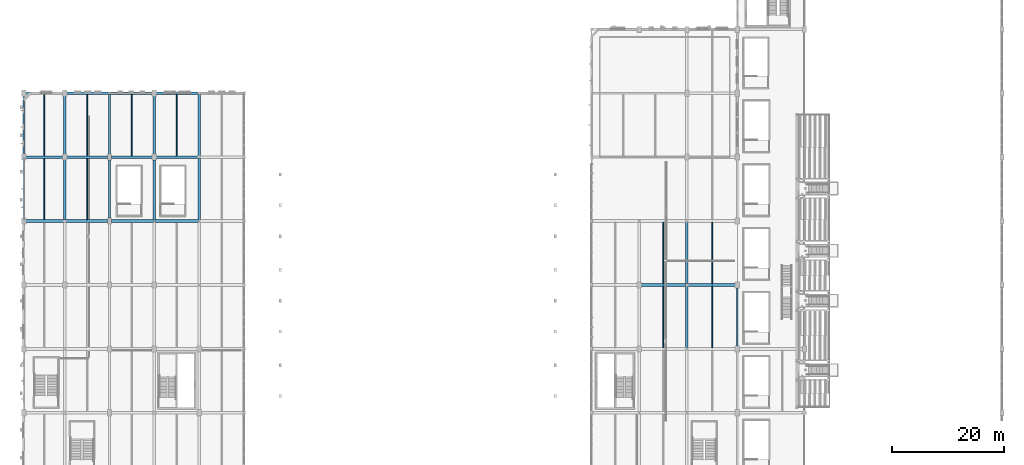
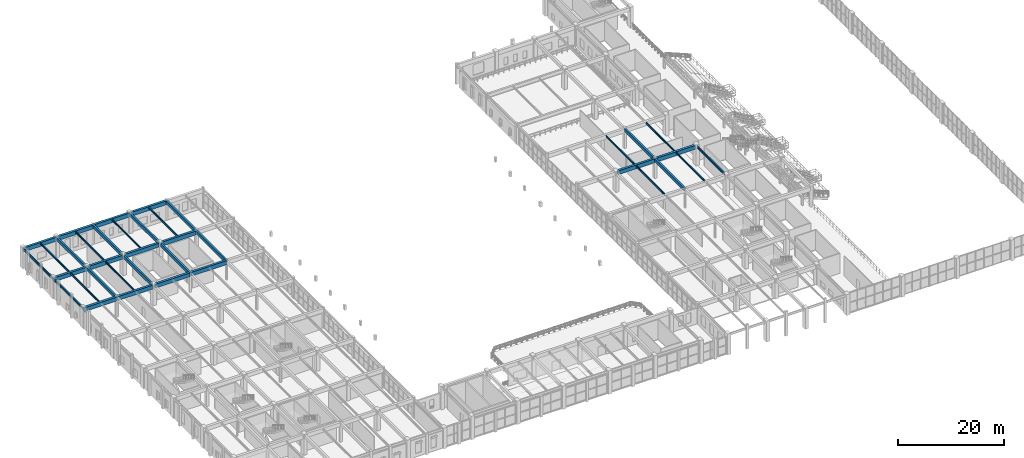
# One storey, part 44 of 106: 37 beams.
"""IFC4 building model written with IfcOpenShell, lengths in metres."""

from ifc_helpers import new_model, si_unit, direction, frame, origin, origin_2d, place, context, subcontext, project, spatial, rectangle, i_section, extrude, material, material_profile, profile_set, type_object, element, save


model = new_model("IFC4")

# Units and contexts
model_context = context("Model", 3, precision=1e-05, world=origin(), true_north=direction((0.0, 1.0)))
body_context = subcontext(model_context, "Body", "Model", "MODEL_VIEW")
ifc_project = project(units=[si_unit("LENGTHUNIT", "METRE"), si_unit("AREAUNIT", "SQUARE_METRE"), si_unit("VOLUMEUNIT", "CUBIC_METRE"), si_unit("PLANEANGLEUNIT", "RADIAN"), si_unit("MASSUNIT", "GRAM", prefix="KILO"), si_unit("POWERUNIT", "WATT"), si_unit("THERMODYNAMICTEMPERATUREUNIT", "KELVIN")], contexts=[model_context])

# Site, building, storey
site_placement = place(None, origin())
site = spatial("IfcSite", under=ifc_project, at=site_placement, CompositionType="ELEMENT")
building_placement = place(site_placement, origin())
building = spatial("IfcBuilding", under=site, at=building_placement, Name="Kelmbourne Parkland Aquatics Centre", CompositionType="ELEMENT")
storey_placement = place(building_placement, frame((0.0, 0.0, 5.39990234375)))
storey = spatial("IfcBuildingStorey", under=building, at=storey_placement, Name="L01", CompositionType="ELEMENT", Elevation=5.39990234375)

# Beams
ifc_material_1 = material(Name="Concrete C40/50", Category="concrete")
ifc_material_profile_1 = material_profile(ifc_material_1, rectangle(XDim=0.5, YDim=0.89990234375, at=origin_2d()), Name="RC 500x900")
ifc_profile_set_1 = profile_set([ifc_material_profile_1], Name="Concrete C40/50")
beam_type_1 = type_object("IfcBeamType", Name="BM-G03", PredefinedType="BEAM", material=ifc_profile_set_1)
beam_1_placement = place(storey_placement, frame((110.830078125, 57.800048828125, 4.110107421875), z_axis=(1.0, 0.0, 0.0), x_axis=(0.0, 1.0, 0.0)))
element("IfcBeam", 1, at=beam_1_placement, inside=storey, type_object=beam_type_1, Name="Primary girder N-O Grid 08 (L02)", PredefinedType="BEAM", context=body_context, shape_type="SweptSolid", body=[
    extrude(rectangle(XDim=0.5, YDim=0.89990234375, at=origin_2d()), origin(), (0.0, 0.0, 1.0), 7.93994140625),
])
beam_2_placement = place(storey_placement, frame((119.22998046875, 57.800048828125, 4.110107421875), z_axis=(1.0, 0.0, 0.0), x_axis=(0.0, 1.0, 0.0)))
element("IfcBeam", 2, at=beam_2_placement, inside=storey, type_object=beam_type_1, Name="Primary girder O-P Grid 08 (L02)", PredefinedType="BEAM", context=body_context, shape_type="SweptSolid", body=[
    extrude(rectangle(XDim=0.5, YDim=0.89990234375, at=origin_2d()), origin(), (0.0, 0.0, 1.0), 8.43994140625),
])
beam_3_placement = place(storey_placement, frame((0.699951171875, 69.199951171875, 4.110107421875), z_axis=(1.0, 0.0, 0.0), x_axis=(0.0, 1.0, 0.0)))
element("IfcBeam", 3, at=beam_3_placement, inside=storey, type_object=beam_type_1, Name="Primary girder A-B Grid 10 (L02)", PredefinedType="BEAM", context=body_context, shape_type="SweptSolid", body=[
    extrude(rectangle(XDim=0.5, YDim=0.89990234375, at=origin_2d()), origin(), (0.0, 0.0, 1.0), 7.300048828125),
])
beam_4_placement = place(storey_placement, frame((8.0, 69.199951171875, 4.110107421875), z_axis=(1.0, 0.0, 0.0), x_axis=(0.0, 1.0, 0.0)))
element("IfcBeam", 4, at=beam_4_placement, inside=storey, type_object=beam_type_1, Name="Primary girder B-C Grid 10 (L02)", PredefinedType="BEAM", context=body_context, shape_type="SweptSolid", body=[
    extrude(rectangle(XDim=0.5, YDim=0.89990234375, at=origin_2d()), origin(), (0.0, 0.0, 1.0), 7.669921875),
])
beam_5_placement = place(storey_placement, frame((16.330078125, 69.199951171875, 4.110107421875), z_axis=(1.0, 0.0, 0.0), x_axis=(0.0, 1.0, 0.0)))
element("IfcBeam", 5, at=beam_5_placement, inside=storey, type_object=beam_type_1, Name="Primary girder C-D Grid 10 (L02)", PredefinedType="BEAM", context=body_context, shape_type="SweptSolid", body=[
    extrude(rectangle(XDim=0.5, YDim=0.89990234375, at=origin_2d()), origin(), (0.0, 0.0, 1.0), 7.5400390625),
])
beam_6_placement = place(storey_placement, frame((24.1298828125, 69.199951171875, 4.110107421875), z_axis=(1.0, 0.0, 0.0), x_axis=(0.0, 1.0, 0.0)))
element("IfcBeam", 6, at=beam_6_placement, inside=storey, type_object=beam_type_1, Name="Primary girder D-E Grid 10 (L02)", PredefinedType="BEAM", context=body_context, shape_type="SweptSolid", body=[
    extrude(rectangle(XDim=0.5, YDim=0.89990234375, at=origin_2d()), origin(), (0.0, 0.0, 1.0), 7.7900390625),
])
beam_7_placement = place(storey_placement, frame((0.699951171875, 80.60009765625, 4.110107421875), z_axis=(1.0, 0.0, 0.0), x_axis=(0.0, 1.0, 0.0)))
element("IfcBeam", 7, at=beam_7_placement, inside=storey, type_object=beam_type_1, Name="Primary girder A-B Grid 11 (L02)", PredefinedType="BEAM", context=body_context, shape_type="SweptSolid", body=[
    extrude(rectangle(XDim=0.5, YDim=0.89990234375, at=origin_2d()), origin(), (0.0, 0.0, 1.0), 7.300048828125),
])
beam_8_placement = place(storey_placement, frame((8.0, 80.60009765625, 4.110107421875), z_axis=(1.0, 0.0, 0.0), x_axis=(0.0, 1.0, 0.0)))
element("IfcBeam", 8, at=beam_8_placement, inside=storey, type_object=beam_type_1, Name="Primary girder B-C Grid 11 (L02)", PredefinedType="BEAM", context=body_context, shape_type="SweptSolid", body=[
    extrude(rectangle(XDim=0.5, YDim=0.89990234375, at=origin_2d()), origin(), (0.0, 0.0, 1.0), 7.669921875),
])
beam_9_placement = place(storey_placement, frame((16.330078125, 80.60009765625, 4.110107421875), z_axis=(1.0, 0.0, 0.0), x_axis=(0.0, 1.0, 0.0)))
element("IfcBeam", 9, at=beam_9_placement, inside=storey, type_object=beam_type_1, Name="Primary girder C-D Grid 11 (L02)", PredefinedType="BEAM", context=body_context, shape_type="SweptSolid", body=[
    extrude(rectangle(XDim=0.5, YDim=0.89990234375, at=origin_2d()), origin(), (0.0, 0.0, 1.0), 7.33984375),
])
beam_10_placement = place(storey_placement, frame((24.330078125, 80.60009765625, 4.110107421875), z_axis=(1.0, 0.0, 0.0), x_axis=(0.0, 1.0, 0.0)))
element("IfcBeam", 10, at=beam_10_placement, inside=storey, type_object=beam_type_1, Name="Primary girder D-E Grid 11 (L02)", PredefinedType="BEAM", context=body_context, shape_type="SweptSolid", body=[
    extrude(rectangle(XDim=0.5, YDim=0.89990234375, at=origin_2d()), origin(), (0.0, 0.0, 1.0), 7.43994140625),
])
beam_11_placement = place(storey_placement, frame((0.699951171875, 92.0, 4.110107421875), z_axis=(1.0, 0.0, 0.0), x_axis=(0.0, 1.0, 0.0)))
element("IfcBeam", 11, at=beam_11_placement, inside=storey, type_object=beam_type_1, Name="Primary girder A-B Grid 12 (L02)", PredefinedType="BEAM", context=body_context, shape_type="SweptSolid", body=[
    extrude(rectangle(XDim=0.5, YDim=0.89990234375, at=origin_2d()), origin(), (0.0, 0.0, 1.0), 7.300048828125),
])
for number, where, z_axis, x_axis, name in (
    (12, (8.0, 92.0, 4.110107421875), (1.0, 0.0, 0.0), (0.0, 1.0, 0.0), "Primary girder B-C Grid 12 (L02)"),
    (13, (16.0, 92.0, 4.110107421875), (1.0, 0.0, 0.0), (0.0, 1.0, 0.0), "Primary girder C-D Grid 12 (L02)"),
    (14, (24.0, 92.0, 4.110107421875), (1.0, 0.0, 0.0), (0.0, 1.0, 0.0), "Primary girder D-E Grid 12 (L02)"),
):
    element("IfcBeam", number, at=place(storey_placement, frame(where, z_axis=z_axis, x_axis=x_axis)), inside=storey, type_object=beam_type_1, Name=name, PredefinedType="BEAM", context=body_context, shape_type="SweptSolid", body=[
        extrude(rectangle(XDim=0.5, YDim=0.89990234375, at=origin_2d()), origin(), (0.0, 0.0, 1.0), 8.0),
    ])
ifc_material_profile_2 = material_profile(ifc_material_1, rectangle(XDim=0.39990234375, YDim=0.699951171875, at=origin_2d()), Name="RC 400x700")
ifc_profile_set_2 = profile_set([ifc_material_profile_2], Name="Concrete C40/50")
beam_type_2 = type_object("IfcBeamType", Name="BM-G05", PredefinedType="BEAM", material=ifc_profile_set_2)
beam_12_placement = place(storey_placement, frame((8.0, 69.199951171875, 4.210205078125), z_axis=(0.0, 1.0, 0.0), x_axis=(-1.0, 0.0, 0.0)))
element("IfcBeam", 15, at=beam_12_placement, inside=storey, type_object=beam_type_2, Name="Primary girder 10-11 Grid B (L02)", PredefinedType="BEAM", context=body_context, shape_type="SweptSolid", body=[
    extrude(rectangle(XDim=0.39990234375, YDim=0.699951171875, at=origin_2d()), origin(), (0.0, 0.0, 1.0), 11.400146484375),
])
beam_13_placement = place(storey_placement, frame((8.0, 80.60009765625, 4.210205078125), z_axis=(0.0, 1.0, 0.0), x_axis=(-1.0, 0.0, 0.0)))
element("IfcBeam", 16, at=beam_13_placement, inside=storey, type_object=beam_type_2, Name="Primary girder 11-12 Grid B (L02)", PredefinedType="BEAM", context=body_context, shape_type="SweptSolid", body=[
    extrude(rectangle(XDim=0.39990234375, YDim=0.699951171875, at=origin_2d()), origin(), (0.0, 0.0, 1.0), 11.39990234375),
])
beam_14_placement = place(storey_placement, frame((16.0, 69.705078125, 4.210205078125), z_axis=(0.0, 1.0, 0.0), x_axis=(-1.0, 0.0, 0.0)))
element("IfcBeam", 17, at=beam_14_placement, inside=storey, type_object=beam_type_2, Name="Primary girder 10-11 Grid C (L02)", PredefinedType="BEAM", context=body_context, shape_type="SweptSolid", body=[
    extrude(rectangle(XDim=0.39990234375, YDim=0.699951171875, at=origin_2d()), origin(), (0.0, 0.0, 1.0), 10.389892578125),
])
beam_15_placement = place(storey_placement, frame((16.0, 81.10498046875, 4.210205078125), z_axis=(0.0, 1.0, 0.0), x_axis=(-1.0, 0.0, 0.0)))
element("IfcBeam", 18, at=beam_15_placement, inside=storey, type_object=beam_type_2, Name="Primary girder 11-12 Grid C (L02)", PredefinedType="BEAM", context=body_context, shape_type="SweptSolid", body=[
    extrude(rectangle(XDim=0.39990234375, YDim=0.699951171875, at=origin_2d()), origin(), (0.0, 0.0, 1.0), 10.89501953125),
])
beam_16_placement = place(storey_placement, frame((24.0, 69.3310546875, 4.210205078125), z_axis=(0.0, 1.0, 0.0), x_axis=(-1.0, 0.0, 0.0)))
element("IfcBeam", 19, at=beam_16_placement, inside=storey, type_object=beam_type_2, Name="Primary girder 10-11 Grid D (L02)", PredefinedType="BEAM", context=body_context, shape_type="SweptSolid", body=[
    extrude(rectangle(XDim=0.39990234375, YDim=0.699951171875, at=origin_2d()), origin(), (0.0, 0.0, 1.0), 10.763916015625),
])
beam_17_placement = place(storey_placement, frame((24.0, 81.10498046875, 4.210205078125), z_axis=(0.0, 1.0, 0.0), x_axis=(-1.0, 0.0, 0.0)))
element("IfcBeam", 20, at=beam_17_placement, inside=storey, type_object=beam_type_2, Name="Primary girder 11-12 Grid D (L02)", PredefinedType="BEAM", context=body_context, shape_type="SweptSolid", body=[
    extrude(rectangle(XDim=0.39990234375, YDim=0.699951171875, at=origin_2d()), origin(), (0.0, 0.0, 1.0), 10.89501953125),
])
beam_18_placement = place(storey_placement, frame((32.0, 69.280029296875, 4.210205078125), z_axis=(0.0, 1.0, 0.0), x_axis=(-1.0, 0.0, 0.0)))
element("IfcBeam", 21, at=beam_18_placement, inside=storey, type_object=beam_type_2, Name="Primary girder 10-11 Grid E (L02)", PredefinedType="BEAM", context=body_context, shape_type="SweptSolid", body=[
    extrude(rectangle(XDim=0.39990234375, YDim=0.699951171875, at=origin_2d()), origin(), (0.0, 0.0, 1.0), 11.090087890625),
])
beam_19_placement = place(storey_placement, frame((32.0, 80.830078125, 4.210205078125), z_axis=(0.0, 1.0, 0.0), x_axis=(-1.0, 0.0, 0.0)))
element("IfcBeam", 22, at=beam_19_placement, inside=storey, type_object=beam_type_2, Name="Primary girder 11-12 Grid E (L02)", PredefinedType="BEAM", context=body_context, shape_type="SweptSolid", body=[
    extrude(rectangle(XDim=0.39990234375, YDim=0.699951171875, at=origin_2d()), origin(), (0.0, 0.0, 1.0), 11.169921875),
])
beam_20_placement = place(storey_placement, frame((119.0, 46.47998046875, 4.210205078125), z_axis=(0.0, 1.0, 0.0), x_axis=(-1.0, 0.0, 0.0)))
element("IfcBeam", 23, at=beam_20_placement, inside=storey, type_object=beam_type_2, Name="Primary girder 06-08 Grid O (L02)", PredefinedType="BEAM", context=body_context, shape_type="SweptSolid", body=[
    extrude(rectangle(XDim=0.39990234375, YDim=0.699951171875, at=origin_2d()), origin(), (0.0, 0.0, 1.0), 11.090087890625),
])
beam_21_placement = place(storey_placement, frame((119.0, 58.030029296875, 4.210205078125), z_axis=(0.0, 1.0, 0.0), x_axis=(-1.0, 0.0, 0.0)))
element("IfcBeam", 24, at=beam_21_placement, inside=storey, type_object=beam_type_2, Name="Primary girder 08-10 Grid O (L02)", PredefinedType="BEAM", context=body_context, shape_type="SweptSolid", body=[
    extrude(rectangle(XDim=0.39990234375, YDim=0.699951171875, at=origin_2d()), origin(), (0.0, 0.0, 1.0), 11.169921875),
])
ifc_material_2 = material(Name="Structural steel AS/NZS 3679.1 Grade 300", Category="steel")
ifc_material_profile_3 = material_profile(ifc_material_2, i_section(OverallWidth=0.177978515625, OverallDepth=0.406005859375, WebThickness=0.0078125, FlangeThickness=0.0126953125, at=origin_2d()), Name="410UB59.7")
ifc_profile_set_3 = profile_set([ifc_material_profile_3], Name="Structural steel AS/NZS 3679.1 Grade 300")
beam_type_3 = type_object("IfcBeamType", Name="BM-J01", PredefinedType="JOIST", material=ifc_profile_set_3)
for number, where, z_axis, x_axis, name in (
    (25, (4.35009765625, 69.44189453125, 4.357177734375), (0.0, 1.0, 0.0), (-1.0, 0.0, 0.0), "Secondary floor joist A-B/10-11 #1 (L02)"),
    (26, (4.35009765625, 80.842041015625, 4.357177734375), (0.0, 1.0, 0.0), (-1.0, 0.0, 0.0), "Secondary floor joist A-B/11-12 #1 (L02)"),
    (27, (12.0, 69.44189453125, 4.357177734375), (0.0, 1.0, 0.0), (-1.0, 0.0, 0.0), "Secondary floor joist B-C/10-11 #1 (L02)"),
    (28, (12.0, 80.842041015625, 4.357177734375), (0.0, 1.0, 0.0), (-1.0, 0.0, 0.0), "Secondary floor joist B-C/11-12 #1 (L02)"),
    (29, (20.0, 80.842041015625, 4.357177734375), (0.0, 1.0, 0.0), (-1.0, 0.0, 0.0), "Secondary floor joist C-D/11-12 #1 (L02)"),
    (30, (28.0, 80.842041015625, 4.357177734375), (0.0, 1.0, 0.0), (-1.0, 0.0, 0.0), "Secondary floor joist D-E/11-12 #1 (L02)"),
    (31, (114.75, 46.64208984375, 4.357177734375), (0.0, 1.0, 0.0), (-1.0, 0.0, 0.0), "Secondary floor joist N-O/06-08 #1 (L02)"),
    (32, (114.75, 58.0419921875, 4.357177734375), (0.0, 1.0, 0.0), (-1.0, 0.0, 0.0), "Secondary floor joist N-O/08-10 #1 (L02)"),
    (33, (123.5, 46.64208984375, 4.357177734375), (0.0, 1.0, 0.0), (-1.0, 0.0, 0.0), "Secondary floor joist O-P/06-08 #1 (L02)"),
    (34, (123.5, 58.0419921875, 4.357177734375), (0.0, 1.0, 0.0), (-1.0, 0.0, 0.0), "Secondary floor joist O-P/08-10 #1 (L02)"),
):
    element("IfcBeam", number, at=place(storey_placement, frame(where, z_axis=z_axis, x_axis=x_axis)), inside=storey, type_object=beam_type_3, Name=name, PredefinedType="JOIST", context=body_context, shape_type="SweptSolid", body=[
        extrude(i_section(OverallWidth=0.177978515625, OverallDepth=0.406005859375, WebThickness=0.0078125, FlangeThickness=0.0126953125, at=origin_2d()), origin(), (0.0, 0.0, 1.0), 10.916015625),
    ])
ifc_material_profile_4 = material_profile(ifc_material_2, i_section(OverallWidth=0.208984375, OverallDepth=0.532958984375, WebThickness=0.01025390625, FlangeThickness=0.015625, at=origin_2d()), Name="530UB92.4")
ifc_profile_set_4 = profile_set([ifc_material_profile_4], Name="Structural steel AS/NZS 3679.1 Grade 300")
beam_type_4 = type_object("IfcBeamType", Name="BM-SP02", PredefinedType="SPANDREL", material=ifc_profile_set_4)
beam_22_placement = place(storey_placement, frame((0.699951171875, 69.199951171875, 4.293701171875), z_axis=(0.0, 1.0, 0.0), x_axis=(-1.0, 0.0, 0.0)))
element("IfcBeam", 35, at=beam_22_placement, inside=storey, type_object=beam_type_4, Name="Perimeter spandrel 10-11 Grid A (L02)", PredefinedType="SPANDREL", context=body_context, shape_type="SweptSolid", body=[
    extrude(i_section(OverallWidth=0.208984375, OverallDepth=0.532958984375, WebThickness=0.01025390625, FlangeThickness=0.015625, at=origin_2d()), origin(), (0.0, 0.0, 1.0), 11.400146484375),
])
beam_23_placement = place(storey_placement, frame((0.699951171875, 80.60009765625, 4.293701171875), z_axis=(0.0, 1.0, 0.0), x_axis=(-1.0, 0.0, 0.0)))
element("IfcBeam", 36, at=beam_23_placement, inside=storey, type_object=beam_type_4, Name="Perimeter spandrel 11-12 Grid A (L02)", PredefinedType="SPANDREL", context=body_context, shape_type="SweptSolid", body=[
    extrude(i_section(OverallWidth=0.208984375, OverallDepth=0.532958984375, WebThickness=0.01025390625, FlangeThickness=0.015625, at=origin_2d()), origin(), (0.0, 0.0, 1.0), 11.39990234375),
])
beam_24_placement = place(storey_placement, frame((128.0, 46.905029296875, 4.293701171875), z_axis=(0.0, 1.0, 0.0), x_axis=(-1.0, 0.0, 0.0)))
element("IfcBeam", 37, at=beam_24_placement, inside=storey, type_object=beam_type_4, Name="Perimeter spandrel 06-08 Grid P (L02)", PredefinedType="SPANDREL", context=body_context, shape_type="SweptSolid", body=[
    extrude(i_section(OverallWidth=0.208984375, OverallDepth=0.532958984375, WebThickness=0.01025390625, FlangeThickness=0.015625, at=origin_2d()), origin(), (0.0, 0.0, 1.0), 10.389892578125),
])

save(model, "model.ifc")
